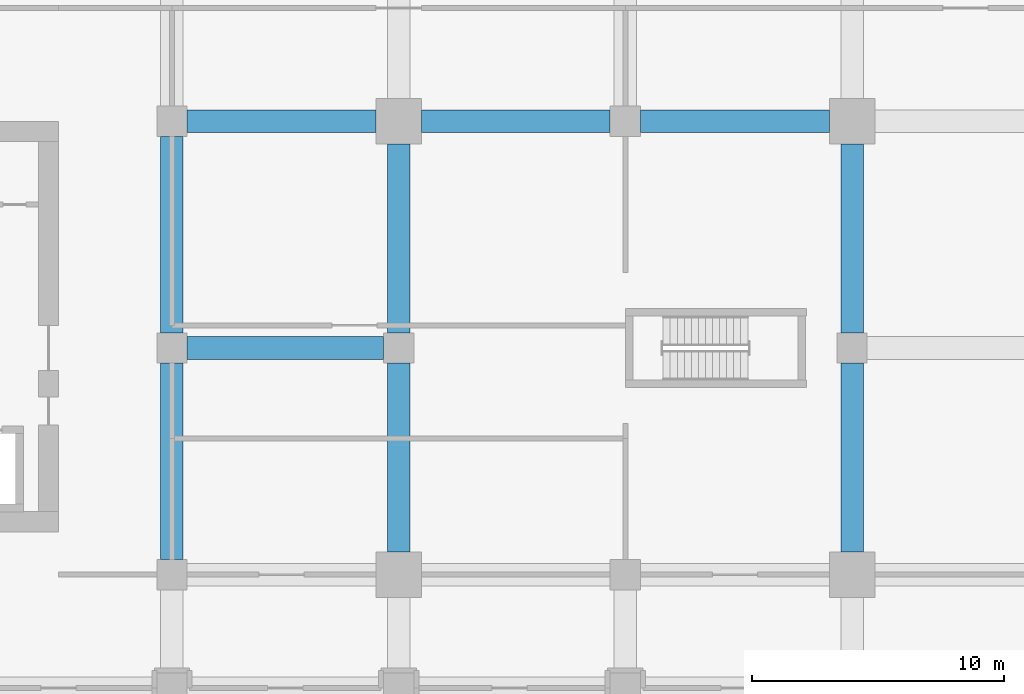
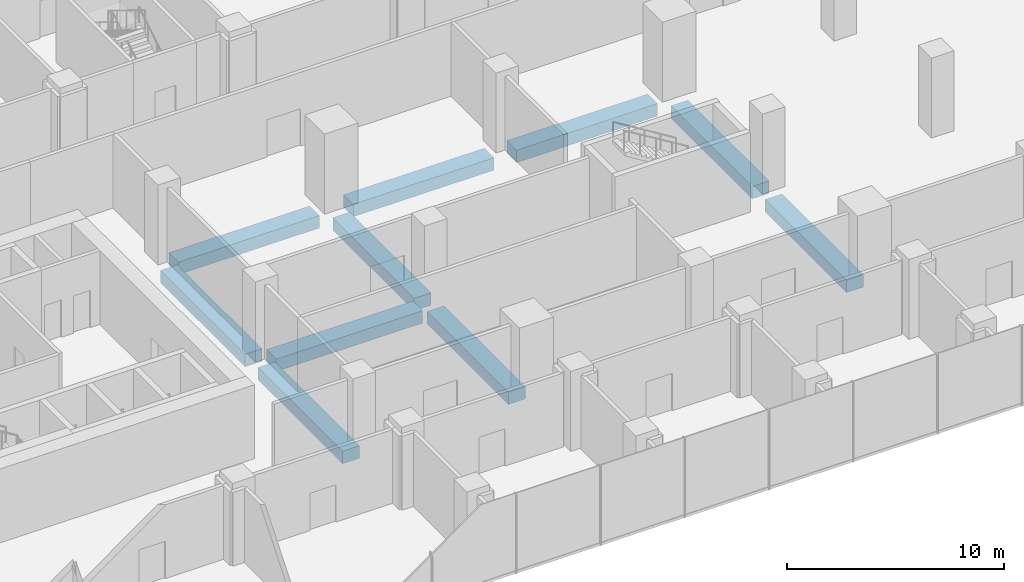
# One storey, part 7 of 43: 10 beams.
"""IFC4 building model written with IfcOpenShell, lengths in metres."""

from ifc_helpers import new_model, si_unit, direction, frame, origin, origin_2d, place, context, subcontext, project, spatial, rectangle, extrude, material, material_profile, profile_set, type_object, element, save


model = new_model("IFC4")

# Units and contexts
model_context = context("Model", 3, precision=1e-05, world=origin(), true_north=direction((0.0, 1.0)))
body_context = subcontext(model_context, "Body", "Model", "MODEL_VIEW")
ifc_project = project(units=[si_unit("LENGTHUNIT", "METRE"), si_unit("AREAUNIT", "SQUARE_METRE"), si_unit("VOLUMEUNIT", "CUBIC_METRE"), si_unit("PLANEANGLEUNIT", "RADIAN"), si_unit("MASSUNIT", "GRAM", prefix="KILO")], contexts=[model_context])

# Site, building, storey
site_placement = place(None, origin())
site = spatial("IfcSite", under=ifc_project, at=site_placement, CompositionType="ELEMENT")
building_placement = place(site_placement, origin())
building = spatial("IfcBuilding", under=site, at=building_placement, Name="Plateau Cross Towers", CompositionType="ELEMENT")
storey_placement = place(building_placement, frame((0.0, 0.0, 17.300048828125)))
storey = spatial("IfcBuildingStorey", under=building, at=storey_placement, Name="L03", CompositionType="ELEMENT", Elevation=17.300048828125)

# Beams
ifc_material = material(Name="Concrete C50/60", Category="concrete")
ifc_material_profile = material_profile(ifc_material, rectangle(XDim=0.89990234375, YDim=0.699951171875, at=origin_2d()), Name="RC 900x700")
ifc_profile_set = profile_set([ifc_material_profile], Name="Concrete C50/60")
beam_type = type_object("IfcBeamType", Name="Podium band beam RC 900x700", PredefinedType="BEAM", material=ifc_profile_set)
beam_placement = place(storey_placement, frame((27.60009765625, 9.0, -0.699951171875), z_axis=(1.0, 0.0, 0.0), x_axis=(0.0, 1.0, 0.0)))
element("IfcBeam", 1, at=beam_placement, inside=storey, type_object=beam_type, Name="PB26@L03", PredefinedType="BEAM", context=body_context, shape_type="SweptSolid", body=[
    extrude(rectangle(XDim=0.89990234375, YDim=0.699951171875, at=origin_2d()), origin(), (0.0, 0.0, 1.0), 7.7998046875),
])
for number, where, z_axis, x_axis, name in (
    (2, (27.60009765625, 18.0, -0.699951171875), (1.0, 0.0, 0.0), (0.0, 1.0, 0.0), "PB28@L03"),
    (3, (36.89990234375, 18.0, -0.699951171875), (1.0, 0.0, 0.0), (0.0, 1.0, 0.0), "PB29@L03"),
    (4, (45.60009765625, 18.0, -0.699951171875), (1.0, 0.0, 0.0), (0.0, 1.0, 0.0), "PB30@L03"),
):
    element("IfcBeam", number, at=place(storey_placement, frame(where, z_axis=z_axis, x_axis=x_axis)), inside=storey, type_object=beam_type, Name=name, PredefinedType="BEAM", context=body_context, shape_type="SweptSolid", body=[
        extrude(rectangle(XDim=0.89990234375, YDim=0.699951171875, at=origin_2d()), origin(), (0.0, 0.0, 1.0), 7.5),
    ])
for number, where, z_axis, x_axis, name in (
    (5, (27.0, 0.60009765625, -0.699951171875), (0.0, 1.0, 0.0), (-1.0, 0.0, 0.0), "PB116@L03"),
    (6, (27.0, 9.60009765625, -0.699951171875), (0.0, 1.0, 0.0), (-1.0, 0.0, 0.0), "PB117@L03"),
):
    element("IfcBeam", number, at=place(storey_placement, frame(where, z_axis=z_axis, x_axis=x_axis)), inside=storey, type_object=beam_type, Name=name, PredefinedType="BEAM", context=body_context, shape_type="SweptSolid", body=[
        extrude(rectangle(XDim=0.89990234375, YDim=0.699951171875, at=origin_2d()), origin(), (0.0, 0.0, 1.0), 7.7998046875),
    ])
for number, where, z_axis, x_axis, name in (
    (7, (36.0, 0.89990234375, -0.699951171875), (0.0, 1.0, 0.0), (-1.0, 0.0, 0.0), "PB125@L03"),
    (8, (36.0, 9.60009765625, -0.699951171875), (0.0, 1.0, 0.0), (-1.0, 0.0, 0.0), "PB126@L03"),
    (9, (54.0, 0.89990234375, -0.699951171875), (0.0, 1.0, 0.0), (-1.0, 0.0, 0.0), "PB141@L03"),
    (10, (54.0, 9.60009765625, -0.699951171875), (0.0, 1.0, 0.0), (-1.0, 0.0, 0.0), "PB142@L03"),
):
    element("IfcBeam", number, at=place(storey_placement, frame(where, z_axis=z_axis, x_axis=x_axis)), inside=storey, type_object=beam_type, Name=name, PredefinedType="BEAM", context=body_context, shape_type="SweptSolid", body=[
        extrude(rectangle(XDim=0.89990234375, YDim=0.699951171875, at=origin_2d()), origin(), (0.0, 0.0, 1.0), 7.5),
    ])

save(model, "model.ifc")
